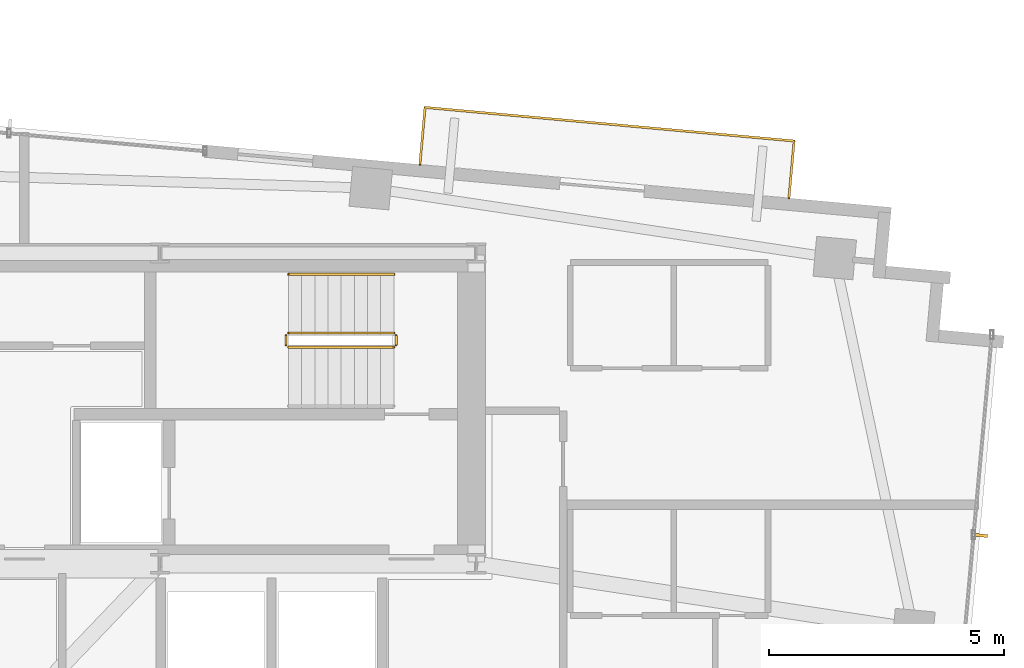
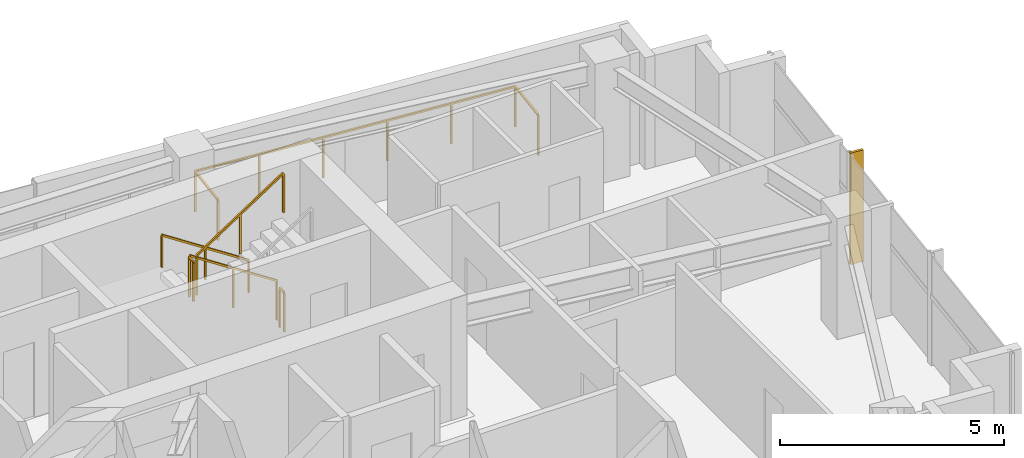
# One storey, part 22 of 22: 6 railings, 1 shading device.
"""IFC4 building model written with IfcOpenShell, lengths in metres."""

from ifc_helpers import new_model, si_unit, direction, frame, origin, origin_2d, place, context, subcontext, project, spatial, rectangle, extrude, source, transform, mapped, material, type_object, type_shapes, element, save


model = new_model("IFC4")

# Units and contexts
model_context = context("Model", 3, precision=1e-05, world=origin(), true_north=direction((0.0, 1.0)))
body_context = subcontext(model_context, "Body", "Model", "MODEL_VIEW")
ifc_project = project(units=[si_unit("LENGTHUNIT", "METRE"), si_unit("AREAUNIT", "SQUARE_METRE"), si_unit("VOLUMEUNIT", "CUBIC_METRE"), si_unit("PLANEANGLEUNIT", "RADIAN"), si_unit("MASSUNIT", "GRAM", prefix="KILO")], contexts=[model_context])

# Site, building, storey
site_placement = place(None, origin())
site = spatial("IfcSite", under=ifc_project, at=site_placement, CompositionType="ELEMENT")
building_placement = place(site_placement, origin())
building = spatial("IfcBuilding", under=site, at=building_placement, Name="Astriad Promenade Condominiums", CompositionType="ELEMENT")
storey_placement = place(building_placement, frame((0.0, 0.0, 249.60009765625)))
storey = spatial("IfcBuildingStorey", under=building, at=storey_placement, Name="L72", CompositionType="ELEMENT", Elevation=249.60009765625)

# Shading device
ifc_material_1 = material(Name="Anodised aluminium 6063-T6 Black Fin", Category="aluminium")
shading_device_type = type_object("IfcShadingDeviceType", Name="FIN-BLACK-260", PredefinedType="USERDEFINED", material=ifc_material_1)
shared_shape_1 = source(origin(), body_context, "Body", "SweptSolid", [
    extrude(rectangle(XDim=0.06494140625, YDim=0.320068359375, at=origin_2d()), origin(), (0.0, 0.0, 1.0), 3.0400390625),
])
type_shapes(shading_device_type, [shared_shape_1])
shading_device_placement = place(storey_placement, frame((56.306884765625, 18.0029296875, 0.0), z_axis=(0.0, 0.0, 1.0), x_axis=(-0.090632580198, -0.995884398616, 0.0)))
element("IfcShadingDevice", 1, at=shading_device_placement, inside=storey, type_object=shading_device_type, Name="CW-L72-E-FIN-01", ObjectType="FIN", PredefinedType="USERDEFINED", context=body_context, shape_type="MappedRepresentation", body=[
    mapped(shared_shape_1, transform((0.0, 0.0, 0.0), scale=1.0)),
])

# Railings
ifc_material_2 = material(Name="Laminated Glass and Stainless Steel Balustrade", Category="steel")
railing_type_1 = type_object("IfcRailingType", Name="GRD-BALC-1120", PredefinedType="BALUSTRADE", material=ifc_material_2)
shared_shape_2 = source(origin(), body_context, "Body", "SweptSolid", [
    extrude(rectangle(XDim=0.048095703125, YDim=0.048095703125, at=origin_2d()), frame((0.0, 0.0, 1.09619140625), z_axis=(0.09066206129, 0.995881715186, 0.0), x_axis=(-0.995881715186, 0.09066206129, 0.0)), (0.0, 0.0, 1.0), 1.219970703125),
    extrude(rectangle(XDim=0.048095703125, YDim=0.048095703125, at=origin_2d()), frame((0.110595703125, 1.21484375, 1.09619140625), z_axis=(-0.99588278111, 0.090650351834, 0.0), x_axis=(-0.090650351834, -0.99588278111, 0.0)), (0.0, 0.0, 1.0), 7.875),
    extrude(rectangle(XDim=0.048095703125, YDim=0.048095703125, at=origin_2d()), frame((-7.73193359375, 1.9287109375, 1.09619140625), z_axis=(-0.090643994769, -0.995883359743, 0.0), x_axis=(0.995883359743, -0.090643994769, 0.0)), (0.0, 0.0, 1.0), 1.22021484375),
    extrude(rectangle(XDim=0.0419921875, YDim=0.0419921875, at=origin_2d()), origin(), (0.0, 0.0, 1.0), 1.072021484375),
    extrude(rectangle(XDim=0.0419921875, YDim=0.0419921875, at=origin_2d()), frame((0.110595703125, 1.21484375, 0.0)), (0.0, 0.0, 1.0), 1.072021484375),
    extrude(rectangle(XDim=0.0419921875, YDim=0.0419921875, at=origin_2d()), frame((-1.4580078125, 1.357666015625, 0.0)), (0.0, 0.0, 1.0), 1.072021484375),
    extrude(rectangle(XDim=0.0419921875, YDim=0.0419921875, at=origin_2d()), frame((-3.0263671875, 1.50048828125, 0.0)), (0.0, 0.0, 1.0), 1.072021484375),
    extrude(rectangle(XDim=0.0419921875, YDim=0.0419921875, at=origin_2d()), frame((-4.594970703125, 1.64306640625, 0.0)), (0.0, 0.0, 1.0), 1.072021484375),
    extrude(rectangle(XDim=0.0419921875, YDim=0.0419921875, at=origin_2d()), frame((-6.163330078125, 1.785888671875, 0.0)), (0.0, 0.0, 1.0), 1.072021484375),
    extrude(rectangle(XDim=0.0419921875, YDim=0.0419921875, at=origin_2d()), frame((-7.73193359375, 1.9287109375, 0.0)), (0.0, 0.0, 1.0), 1.072021484375),
    extrude(rectangle(XDim=0.0419921875, YDim=0.0419921875, at=origin_2d()), frame((-7.842529296875, 0.713623046875, 0.0)), (0.0, 0.0, 1.0), 1.072021484375),
])
type_shapes(railing_type_1, [shared_shape_2])
railing_1_placement = place(storey_placement, frame((52.24462890625, 25.167236328125, 0.0)))
element("IfcRailing", 2, at=railing_1_placement, inside=storey, type_object=railing_type_1, Name="GRD-BALC-L72-NE", PredefinedType="BALUSTRADE", context=body_context, shape_type="MappedRepresentation", body=[
    mapped(shared_shape_2, transform((0.0, 0.0, 0.0), scale=1.0)),
])
ifc_material_3 = material(Name="Painted Galvanised Steel Guardrail", Category="steel")
railing_type_2 = type_object("IfcRailingType", Name="GRD-STAIR-1100", PredefinedType="GUARDRAIL", material=ifc_material_3)
shared_shape_3 = source(origin(), body_context, "Body", "SweptSolid", [
    extrude(rectangle(XDim=0.048095703125, YDim=0.048095703125, at=origin_2d()), frame((0.0, 0.0, 1.076171875), z_axis=(0.836636935527, 0.0, 0.547757827979), x_axis=(0.0, 1.0, 0.0)), (0.0, 0.0, 1.0), 2.677490234375),
    extrude(rectangle(XDim=0.0419921875, YDim=0.0419921875, at=origin_2d()), origin(), (0.0, 0.0, 1.0), 1.052001953125),
    extrude(rectangle(XDim=0.0419921875, YDim=0.0419921875, at=origin_2d()), frame((1.1201171875, 0.0, 0.7333984375)), (0.0, 0.0, 1.0), 1.052001953125),
    extrude(rectangle(XDim=0.0419921875, YDim=0.0419921875, at=origin_2d()), frame((2.239990234375, 0.0, 1.466552734375)), (0.0, 0.0, 1.0), 1.052001953125),
])
railing_2_placement = place(storey_placement, frame((41.610107421875, 22.0, 1.833251953125)))
element("IfcRailing", 3, at=railing_2_placement, inside=storey, type_object=railing_type_2, Name="L72 ST-2 stair guard 3", PredefinedType="GUARDRAIL", context=body_context, shape_type="MappedRepresentation", body=[
    mapped(shared_shape_3, transform((0.0, 0.0, 0.0), scale=1.0)),
])
shared_shape_4 = source(origin(), body_context, "Body", "SweptSolid", [
    extrude(rectangle(XDim=0.048095703125, YDim=0.048095703125, at=origin_2d()), frame((0.0, 0.0, 1.076171875), z_axis=(-0.836636935527, 0.0, 0.547757827979), x_axis=(0.0, -1.0, 0.0)), (0.0, 0.0, 1.0), 2.677490234375),
    extrude(rectangle(XDim=0.0419921875, YDim=0.0419921875, at=origin_2d()), origin(), (0.0, 0.0, 1.0), 1.052001953125),
    extrude(rectangle(XDim=0.0419921875, YDim=0.0419921875, at=origin_2d()), frame((-1.1201171875, 0.0, 0.7333984375)), (0.0, 0.0, 1.0), 1.052001953125),
    extrude(rectangle(XDim=0.0419921875, YDim=0.0419921875, at=origin_2d()), frame((-2.239990234375, 0.0, 1.466552734375)), (0.0, 0.0, 1.0), 1.052001953125),
])
railing_3_placement = place(storey_placement, frame((43.85009765625, 22.300048828125, 0.183349609375)))
element("IfcRailing", 4, at=railing_3_placement, inside=storey, type_object=railing_type_2, Name="L72 ST-2 stair guard 1", PredefinedType="GUARDRAIL", context=body_context, shape_type="MappedRepresentation", body=[
    mapped(shared_shape_4, transform((0.0, 0.0, 0.0), scale=1.0)),
])
ifc_material_4 = material(Name="Brushed Stainless Steel Handrail", Category="steel")
railing_type_3 = type_object("IfcRailingType", Name="HRL-STAIR-920", PredefinedType="HANDRAIL", material=ifc_material_4)
shared_shape_5 = source(origin(), body_context, "Body", "SweptSolid", [
    extrude(rectangle(XDim=0.048095703125, YDim=0.048095703125, at=origin_2d()), frame((0.0, 0.0, 0.8759765625), z_axis=(-0.836636935527, 0.0, 0.547757827979), x_axis=(0.0, -1.0, 0.0)), (0.0, 0.0, 1.0), 2.677490234375),
    extrude(rectangle(XDim=0.0419921875, YDim=0.0419921875, at=origin_2d()), origin(), (0.0, 0.0, 1.0), 0.851806640625),
    extrude(rectangle(XDim=0.0419921875, YDim=0.0419921875, at=origin_2d()), frame((-1.1201171875, 0.0, 0.7333984375)), (0.0, 0.0, 1.0), 0.851806640625),
    extrude(rectangle(XDim=0.0419921875, YDim=0.0419921875, at=origin_2d()), frame((-2.239990234375, 0.0, 1.466552734375)), (0.0, 0.0, 1.0), 0.851806640625),
])
type_shapes(railing_type_3, [shared_shape_5])
railing_4_placement = place(storey_placement, frame((43.85009765625, 23.550048828125, 0.183349609375)))
element("IfcRailing", 5, at=railing_4_placement, inside=storey, type_object=railing_type_3, Name="L72 ST-2 stair handrail 1", PredefinedType="HANDRAIL", context=body_context, shape_type="MappedRepresentation", body=[
    mapped(shared_shape_5, transform((0.0, 0.0, 0.0), scale=1.0)),
])
shared_shape_6 = source(origin(), body_context, "Body", "SweptSolid", [
    extrude(rectangle(XDim=0.048095703125, YDim=0.048095703125, at=origin_2d()), frame((0.0, 0.0, 1.076171875), z_axis=(0.0, -1.0, 0.0), x_axis=(1.0, 0.0, 0.0)), (0.0, 0.0, 1.0), 0.199951171875),
    extrude(rectangle(XDim=0.0419921875, YDim=0.0419921875, at=origin_2d()), origin(), (0.0, 0.0, 1.0), 1.052001953125),
    extrude(rectangle(XDim=0.0419921875, YDim=0.0419921875, at=origin_2d()), frame((0.0, -0.199951171875, 0.0)), (0.0, 0.0, 1.0), 1.052001953125),
])
type_shapes(railing_type_2, [shared_shape_3, shared_shape_4, shared_shape_6])
for number, where, name in (
    (6, (41.56005859375, 22.25, 1.64990234375), "L72 ST-2 stair guard 2"),
    (7, (43.89990234375, 22.25, 0.0), "L72 ST-2 stair guard 4"),
):
    element("IfcRailing", number, at=place(storey_placement, frame(where)), inside=storey, type_object=railing_type_2, Name=name, PredefinedType="GUARDRAIL", context=body_context, shape_type="MappedRepresentation", body=[
        mapped(shared_shape_6, transform((0.0, 0.0, 0.0), scale=1.0)),
    ])

save(model, "model.ifc")
